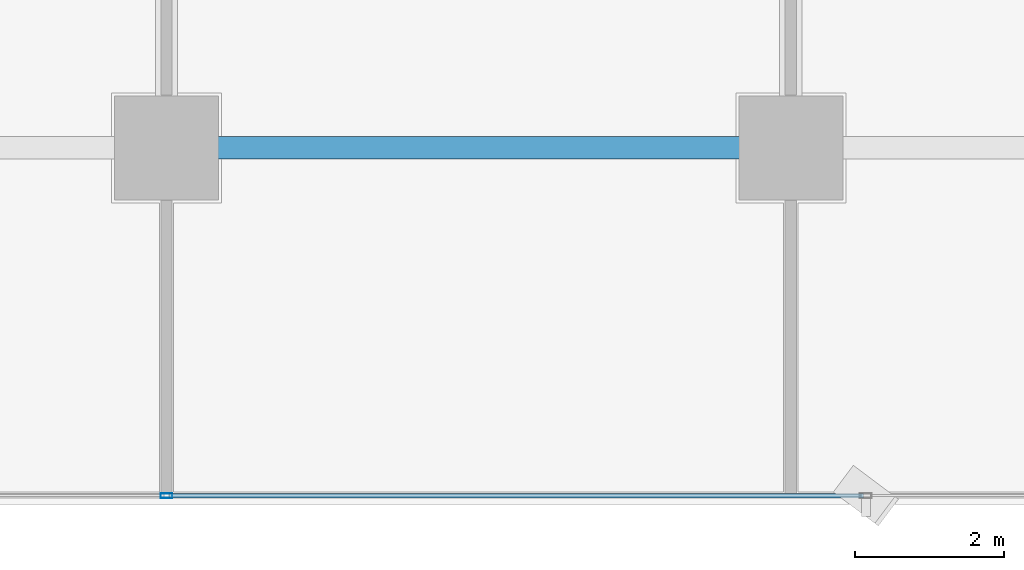
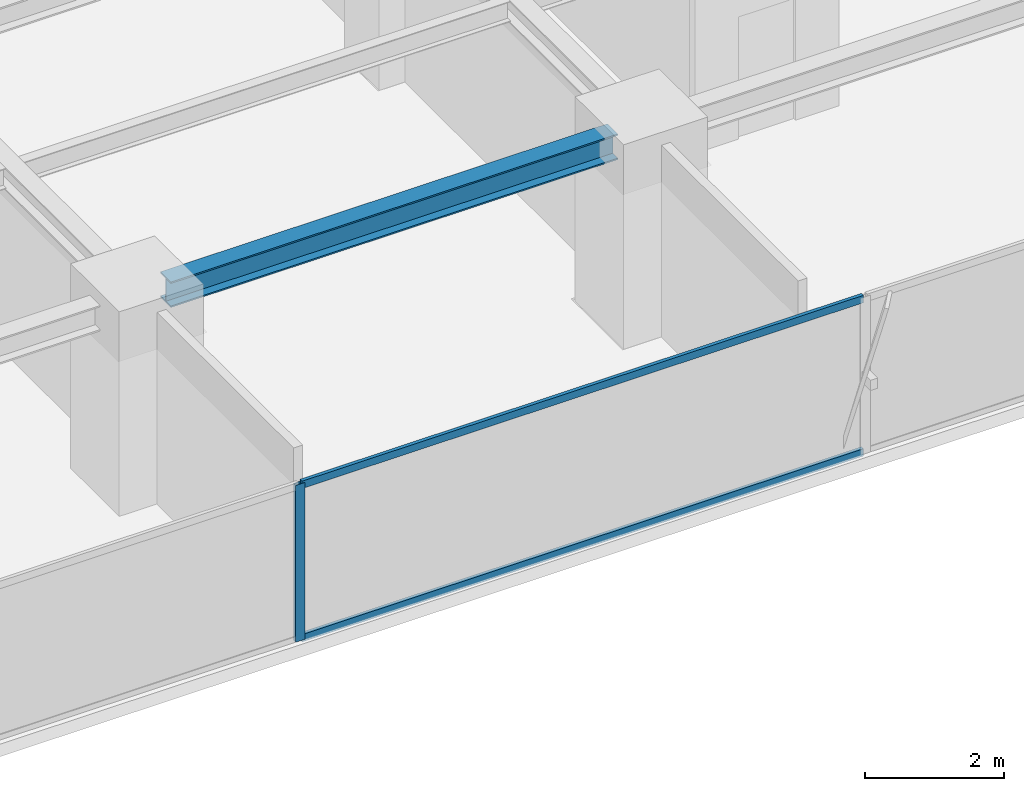
# One storey, part 5 of 28: 3 members, 1 beam, 1 element without a shape of its own.
"""IFC4 building model written with IfcOpenShell, lengths in metres."""

import ifcopenshell
import ifcopenshell.guid

model = None  # the IFC model being written
_history = None  # IfcOwnerHistory: only IFC2X3 demands one
_inside = {}  # id of a spatial element -> (the spatial element, [elements in it])
_under = {}  # id of a project, library or spatial element -> (it, [spatial elements below it])
_declared = {}  # id of a project -> (the project, [libraries it declares])
_typed = {}  # id of a type object -> (the type object, [elements of that type])
_made_of = {}  # id of a material, layer set ... -> (it, [elements and type objects made of it])


def new_model(schema):
    """Start an empty IFC model of exactly this schema.

    Asked for "IFC4X3", IfcOpenShell would pick the latest addendum, in which some entities
    have other attributes; the version numbers below select the first issue.
    IFC2X3 requires an IfcOwnerHistory on every rooted entity: one is made here for all.
    """
    global model, _history
    if schema == "IFC4X3":
        model = ifcopenshell.file(schema_version=(4, 3, 0, 0))
    else:
        model = ifcopenshell.file(schema=schema)
    _inside.clear()
    _under.clear()
    _declared.clear()
    _typed.clear()
    _made_of.clear()
    _history = None
    if model.schema == "IFC2X3":
        org = make("IfcOrganization", Name="unknown")
        user = make(
            "IfcPersonAndOrganization",
            ThePerson=make("IfcPerson", FamilyName="unknown"),
            TheOrganization=org,
        )
        app = make(
            "IfcApplication",
            ApplicationDeveloper=org,
            Version="unknown",
            ApplicationFullName="unknown",
            ApplicationIdentifier="unknown",
        )
        _history = make(
            "IfcOwnerHistory",
            OwningUser=user,
            OwningApplication=app,
            ChangeAction="ADDED",
            CreationDate=0,
        )
    return model


def make(cls, **values):
    """One entity of the class cls with the attributes given. An attribute that is None is left unset."""
    return model.create_entity(
        cls, **{name: value for name, value in values.items() if value is not None}
    )


def rooted(cls, **values):
    """An entity with a GlobalId (a new one), such as an element, a storey or a relation."""
    return make(cls, GlobalId=ifcopenshell.guid.new(), OwnerHistory=_history, **values)


def si_unit(unit_type, name, prefix=None):
    """IfcSIUnit, for example si_unit("LENGTHUNIT", "METRE", prefix="MILLI")."""
    return make("IfcSIUnit", UnitType=unit_type, Prefix=prefix, Name=name)


def assignment(units):
    """IfcUnitAssignment: the units of a project."""
    return None if units is None else make("IfcUnitAssignment", Units=units)


def point(xyz):
    """IfcCartesianPoint."""
    return None if xyz is None else make("IfcCartesianPoint", Coordinates=xyz)


def direction(xyz):
    """IfcDirection."""
    return None if xyz is None else make("IfcDirection", DirectionRatios=xyz)


def frame(location, z_axis=None, x_axis=None):
    """IfcAxis2Placement3D, a coordinate frame: its origin and axes. An axis left out is left unset."""
    return make(
        "IfcAxis2Placement3D",
        Location=point(location),
        Axis=direction(z_axis),
        RefDirection=direction(x_axis),
    )


def frame_2d(location, x_axis=None):
    """IfcAxis2Placement2D, a coordinate frame in the plane: its origin and x axis."""
    return make(
        "IfcAxis2Placement2D", Location=point(location), RefDirection=direction(x_axis)
    )


def origin():
    """The frame at (0, 0, 0) with its axes left unset."""
    return frame((0.0, 0.0, 0.0))


def origin_2d():
    """The frame at (0, 0) in the plane with its x axis left unset."""
    return frame_2d((0.0, 0.0))


def place(relative_to, where):
    """IfcLocalPlacement: puts the frame where relative to a parent placement (None: the world)."""
    return make(
        "IfcLocalPlacement", PlacementRelTo=relative_to, RelativePlacement=where
    )


def context(
    kind, dimensions, precision=None, world=None, true_north=None, identifier=None
):
    """IfcGeometricRepresentationContext, for example the 3D "Model" context."""
    return make(
        "IfcGeometricRepresentationContext",
        ContextIdentifier=identifier,
        ContextType=kind,
        CoordinateSpaceDimension=dimensions,
        Precision=precision,
        WorldCoordinateSystem=world,
        TrueNorth=true_north,
    )


def subcontext(parent, identifier, kind, view, scale=None):
    """IfcGeometricRepresentationSubContext, for example "Body" below "Model"."""
    return make(
        "IfcGeometricRepresentationSubContext",
        ContextIdentifier=identifier,
        ContextType=kind,
        ParentContext=parent,
        TargetScale=scale,
        TargetView=view,
    )


def project(units=None, contexts=None):
    """IfcProject with its units and contexts."""
    return rooted(
        "IfcProject",
        Name="project",
        RepresentationContexts=contexts,
        UnitsInContext=assignment(units),
    )


def spatial(cls, under=None, at=None, **own):
    """A site, building, storey or space (cls), placed at a placement, below another one or the project."""
    s = rooted(cls, ObjectPlacement=at, **own)
    if under is not None:
        _under.setdefault(under.id(), (under, []))[1].append(s)
    return s


def profile(cls, at=None, kind="AREA", **sizes):
    """A parametric profile (cls). Its sizes go by their IFC names, for example OverallWidth=200.0."""
    return make(cls, ProfileType=kind, Position=at, **sizes)


def hollow_rectangle(**sizes):
    """IfcRectangleHollowProfileDef."""
    return profile("IfcRectangleHollowProfileDef", **sizes)


def i_section(**sizes):
    """IfcIShapeProfileDef."""
    return profile("IfcIShapeProfileDef", **sizes)


def extrude(swept, where, along, depth):
    """IfcExtrudedAreaSolid: the profile swept, set in the frame where, extruded along a direction by depth."""
    return make(
        "IfcExtrudedAreaSolid",
        SweptArea=swept,
        Position=where,
        ExtrudedDirection=direction(along),
        Depth=depth,
    )


def shape(context_of_items, identifier, shape_type, items):
    """IfcShapeRepresentation: the items that make up one representation, for example the "Body"."""
    return make(
        "IfcShapeRepresentation",
        ContextOfItems=context_of_items,
        RepresentationIdentifier=identifier,
        RepresentationType=shape_type,
        Items=items,
    )


def source(mapping_origin, context_of_items, identifier, shape_type, items):
    """IfcRepresentationMap: a shape defined once, which mapped items show again and again."""
    return make(
        "IfcRepresentationMap",
        MappingOrigin=mapping_origin,
        MappedRepresentation=shape(context_of_items, identifier, shape_type, items),
    )


def transform(
    local_origin,
    x_axis=None,
    y_axis=None,
    z_axis=None,
    scale=None,
    scale2=None,
    scale3=None,
    uniform=True,
):
    """IfcCartesianTransformationOperator3D, or its non-uniform kind. x_axis, y_axis, z_axis: its Axis1, 2, 3."""
    if uniform:
        return make(
            "IfcCartesianTransformationOperator3D",
            Axis1=direction(x_axis),
            Axis2=direction(y_axis),
            LocalOrigin=point(local_origin),
            Scale=scale,
            Axis3=direction(z_axis),
        )
    return make(
        "IfcCartesianTransformationOperator3DnonUniform",
        Axis1=direction(x_axis),
        Axis2=direction(y_axis),
        LocalOrigin=point(local_origin),
        Scale=scale,
        Axis3=direction(z_axis),
        Scale2=scale2,
        Scale3=scale3,
    )


def mapped(mapping_source, mapping_target):
    """IfcMappedItem: shows the shape of a source again, moved by a transform."""
    return make(
        "IfcMappedItem", MappingSource=mapping_source, MappingTarget=mapping_target
    )


def material(Name=None, Category=None):
    """IfcMaterial."""
    return make("IfcMaterial", Name=Name, Category=Category)


def layer(
    of_material, thickness, ventilated=None, Name=None, Category=None, Priority=None
):
    """IfcMaterialLayer: one layer of a wall or slab, of a material (None: an air gap)."""
    return make(
        "IfcMaterialLayer",
        Material=of_material,
        LayerThickness=thickness,
        IsVentilated=ventilated,
        Name=Name,
        Category=Category,
        Priority=Priority,
    )


def layer_set(layers, Name=None):
    """IfcMaterialLayerSet."""
    return make("IfcMaterialLayerSet", MaterialLayers=layers, LayerSetName=Name)


def material_profile(
    of_material, cross_section, Name=None, Category=None, Priority=None
):
    """IfcMaterialProfile: a cross section and its material."""
    return make(
        "IfcMaterialProfile",
        Name=Name,
        Material=of_material,
        Profile=cross_section,
        Priority=Priority,
        Category=Category,
    )


def profile_set(profiles, Name=None, composite=None):
    """IfcMaterialProfileSet."""
    return make(
        "IfcMaterialProfileSet",
        Name=Name,
        MaterialProfiles=profiles,
        CompositeProfile=composite,
    )


def made_of(thing, what):
    """Note that an element or type object is made of a material, layer set ...; save() writes the relation."""
    if what is not None:
        _made_of.setdefault(what.id(), (what, []))[1].append(thing)
    return thing


def type_object(cls, material=None, **own):
    """A type object (cls), such as IfcWallType, which elements share."""
    return made_of(rooted(cls, **own), material)


def element(
    cls,
    number,
    at=None,
    inside=None,
    cuts=None,
    type_object=None,
    material=None,
    context=None,
    identifier="Body",
    shape_type=None,
    held_by="IfcProductDefinitionShape",
    body=None,
    shapes=None,
    **own,
):
    """One element of the class cls, such as IfcWall. Its Tag is "e" and its number.

    at: its placement. inside: the storey or other place that contains it. cuts: it is an
    opening in that element (IfcRelVoidsElement). A single representation is given by context,
    identifier, shape_type and body (its items); several are given by shapes. held_by: the class
    of the entity that holds the representations. save() writes the other relations.
    """
    e = rooted(cls, Tag="e%d" % number, ObjectPlacement=at, **own)
    if body is not None:
        shapes = [shape(context, identifier, shape_type, body)]
    if shapes is not None:
        e.Representation = make(held_by, Representations=shapes)
    if inside is not None:
        _inside.setdefault(inside.id(), (inside, []))[1].append(e)
    if cuts is not None:
        rooted(
            "IfcRelVoidsElement", RelatingBuildingElement=cuts, RelatedOpeningElement=e
        )
    if type_object is not None:
        _typed.setdefault(type_object.id(), (type_object, []))[1].append(e)
    return made_of(e, material)


def aggregate(whole, parts):
    """IfcRelAggregates: a whole, such as a stair, and the parts it consists of."""
    return rooted("IfcRelAggregates", RelatingObject=whole, RelatedObjects=parts)


def save(model, path):
    """Write the relations noted so far, then the file.

    IfcRelAggregates (storeys below a building ...), IfcRelContainedInSpatialStructure (elements
    in a storey), IfcRelDefinesByType, IfcRelAssociatesMaterial and IfcRelDeclares: one each for
    every whole, place, type object, material and project.
    """
    for whole, parts in _under.values():
        aggregate(whole, parts)
    for where, things in _inside.values():
        rooted(
            "IfcRelContainedInSpatialStructure",
            RelatedElements=things,
            RelatingStructure=where,
        )
    for kind, things in _typed.values():
        rooted("IfcRelDefinesByType", RelatedObjects=things, RelatingType=kind)
    for what, things in _made_of.values():
        rooted("IfcRelAssociatesMaterial", RelatedObjects=things, RelatingMaterial=what)
    for by, libraries in _declared.values():
        rooted("IfcRelDeclares", RelatingContext=by, RelatedDefinitions=libraries)
    model.write(path)


model = new_model("IFC4")

# Units and contexts
model_context = context("Model", 3, precision=1e-05, world=origin(), true_north=direction((0.0, 1.0)))
body_context = subcontext(model_context, "Body", "Model", "MODEL_VIEW")
ifc_project = project(units=[si_unit("LENGTHUNIT", "METRE"), si_unit("AREAUNIT", "SQUARE_METRE"), si_unit("VOLUMEUNIT", "CUBIC_METRE"), si_unit("PLANEANGLEUNIT", "RADIAN"), si_unit("MASSUNIT", "GRAM", prefix="KILO")], contexts=[model_context])

# Site, building, storey
site_placement = place(None, origin())
site = spatial("IfcSite", under=ifc_project, at=site_placement, CompositionType="ELEMENT")
building_placement = place(site_placement, origin())
building = spatial("IfcBuilding", under=site, at=building_placement, Name="Sumidabori Civic Tower", CompositionType="ELEMENT")
storey_placement = place(building_placement, frame((0.0, 0.0, 146.0)))
storey = spatial("IfcBuildingStorey", under=building, at=storey_placement, Name="L37", CompositionType="ELEMENT", Elevation=146.0)

# Beam
ifc_material_1 = material(Name="Steel SN490", Category="steel")
ifc_material_profile_1 = material_profile(ifc_material_1, i_section(OverallWidth=0.300048828125, OverallDepth=0.449951171875, WebThickness=0.013916015625, FlangeThickness=0.02587890625, at=origin_2d()), Name="HE 450 B")
ifc_profile_set_1 = profile_set([ifc_material_profile_1], Name="Steel SN490")
beam_type = type_object("IfcBeamType", Name="BM-GIRD-450", PredefinedType="BEAM", material=ifc_profile_set_1)
shared_shape_1 = source(origin(), body_context, "Body", "SweptSolid", [
    extrude(i_section(OverallWidth=0.300048828125, OverallDepth=0.449951171875, WebThickness=0.013916015625, FlangeThickness=0.02587890625, at=origin_2d()), origin(), (0.0, 0.0, 1.0), 7.43994140625),
])
beam_placement = place(storey_placement, frame((0.47998046875, -18.0, 3.155029296875), z_axis=(1.0, 0.0, 0.0), x_axis=(0.0, 1.0, 0.0)))
element("IfcBeam", 1, at=beam_placement, inside=storey, type_object=beam_type, Name="Primary Girder L37 GX-03", PredefinedType="BEAM", context=body_context, shape_type="MappedRepresentation", body=[
    mapped(shared_shape_1, transform((0.0, 0.0, 0.0), x_axis=(1.0, 0.0, 0.0), y_axis=(0.0, 1.0, 0.0), z_axis=(0.0, 0.0, 1.0), scale=1.0)),
])

# Curtain wall, members
ifc_material_2 = material(Name="Anodised Bronze Aluminium AW-6063-T6", Category="aluminium")
ifc_layer = layer(ifc_material_2, 0.179931640625, Name="Anodised Bronze Aluminium AW-6063-T6")
ifc_layer_set = layer_set([ifc_layer], Name="Anodised Bronze Aluminium AW-6063-T6")
curtain_wall_type = type_object("IfcCurtainWallType", Name="CW-SYS-3", PredefinedType="NOTDEFINED", material=ifc_layer_set)
curtain_wall_placement = place(storey_placement, origin())
curtain_wall = element("IfcCurtainWall", 2, at=curtain_wall_placement, inside=storey, type_object=curtain_wall_type, Name="Curtain Wall CW:L37:R01", PredefinedType="NOTDEFINED")
ifc_material_profile_2 = material_profile(ifc_material_2, hollow_rectangle(XDim=0.06494140625, YDim=0.159912109375, WallThickness=0.0048828125, at=origin_2d()), Name="ALU MULLION 160x65")
ifc_profile_set_2 = profile_set([ifc_material_profile_2], Name="Anodised Bronze Aluminium AW-6063-T6")
member_type_1 = type_object("IfcMemberType", Name="CW-MUL-160", PredefinedType="MULLION", material=ifc_profile_set_2)
shared_shape_2 = source(origin(), body_context, "Body", "SweptSolid", [
    extrude(hollow_rectangle(XDim=0.06494140625, YDim=0.159912109375, WallThickness=0.0048828125, at=origin_2d()), origin(), (0.0, 0.0, 1.0), 2.760009765625),
])
member_1_placement = place(storey_placement, frame((0.0, -22.679931640625, 0.0), z_axis=(0.0, 0.0, 1.0), x_axis=(0.0, 1.0, 0.0)))
member_1 = element("IfcMember", 3, at=member_1_placement, type_object=member_type_1, Name="CW-3 mullion 3", PredefinedType="MULLION", context=body_context, shape_type="MappedRepresentation", body=[
    mapped(shared_shape_2, transform((0.0, 0.0, 0.0), x_axis=(1.0, 0.0, 0.0), y_axis=(0.0, 1.0, 0.0), z_axis=(0.0, 0.0, 1.0), scale=1.0)),
])
ifc_material_profile_3 = material_profile(ifc_material_2, hollow_rectangle(XDim=0.06005859375, YDim=0.1298828125, WallThickness=0.0048828125, at=origin_2d()), Name="ALU TRANSOM 130x60")
ifc_profile_set_3 = profile_set([ifc_material_profile_3], Name="Anodised Bronze Aluminium AW-6063-T6")
member_type_2 = type_object("IfcMemberType", Name="CW-TRN-130", PredefinedType="USERDEFINED", material=ifc_profile_set_3)
shared_shape_3 = source(origin(), body_context, "Body", "SweptSolid", [
    extrude(hollow_rectangle(XDim=0.06005859375, YDim=0.1298828125, WallThickness=0.0048828125, at=origin_2d()), origin(), (0.0, 0.0, 1.0), 9.344970703125),
])
member_2_placement = place(storey_placement, frame((0.032470703125, -22.679931640625, 0.030029296875), z_axis=(1.0, 0.0, 0.0), x_axis=(0.0, 1.0, 0.0)))
member_2 = element("IfcMember", 4, at=member_2_placement, type_object=member_type_2, Name="CW-3 transom 3.1", ObjectType="TRANSOM", PredefinedType="USERDEFINED", context=body_context, shape_type="MappedRepresentation", body=[
    mapped(shared_shape_3, transform((0.0, 0.0, 0.0), x_axis=(1.0, 0.0, 0.0), y_axis=(0.0, 1.0, 0.0), z_axis=(0.0, 0.0, 1.0), scale=1.0)),
])
member_3_placement = place(storey_placement, frame((0.032470703125, -22.679931640625, 2.72998046875), z_axis=(1.0, 0.0, 0.0), x_axis=(0.0, 1.0, 0.0)))
member_3 = element("IfcMember", 5, at=member_3_placement, type_object=member_type_2, Name="CW-3 transom 3.2", ObjectType="TRANSOM", PredefinedType="USERDEFINED", context=body_context, shape_type="MappedRepresentation", body=[
    mapped(shared_shape_3, transform((0.0, 0.0, 0.0), x_axis=(1.0, 0.0, 0.0), y_axis=(0.0, 1.0, 0.0), z_axis=(0.0, 0.0, 1.0), scale=1.0)),
])
aggregate(curtain_wall, [member_1, member_2, member_3])

save(model, "model.ifc")
